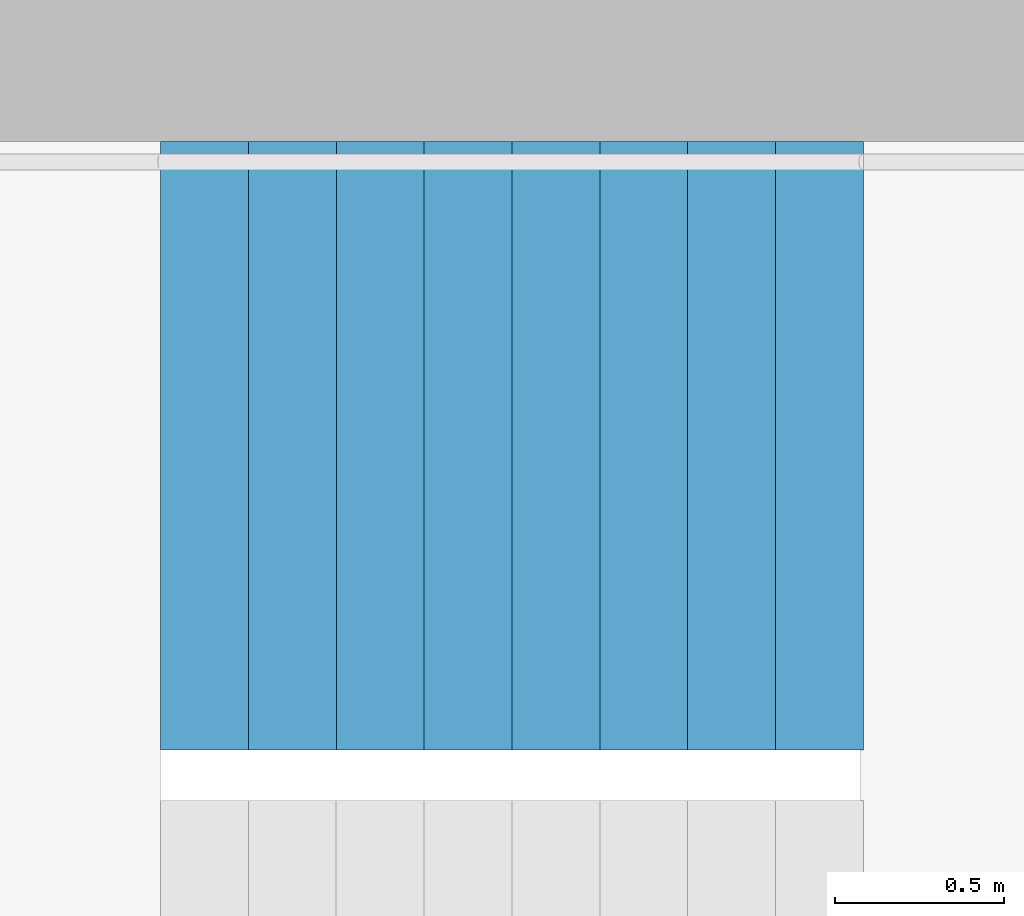
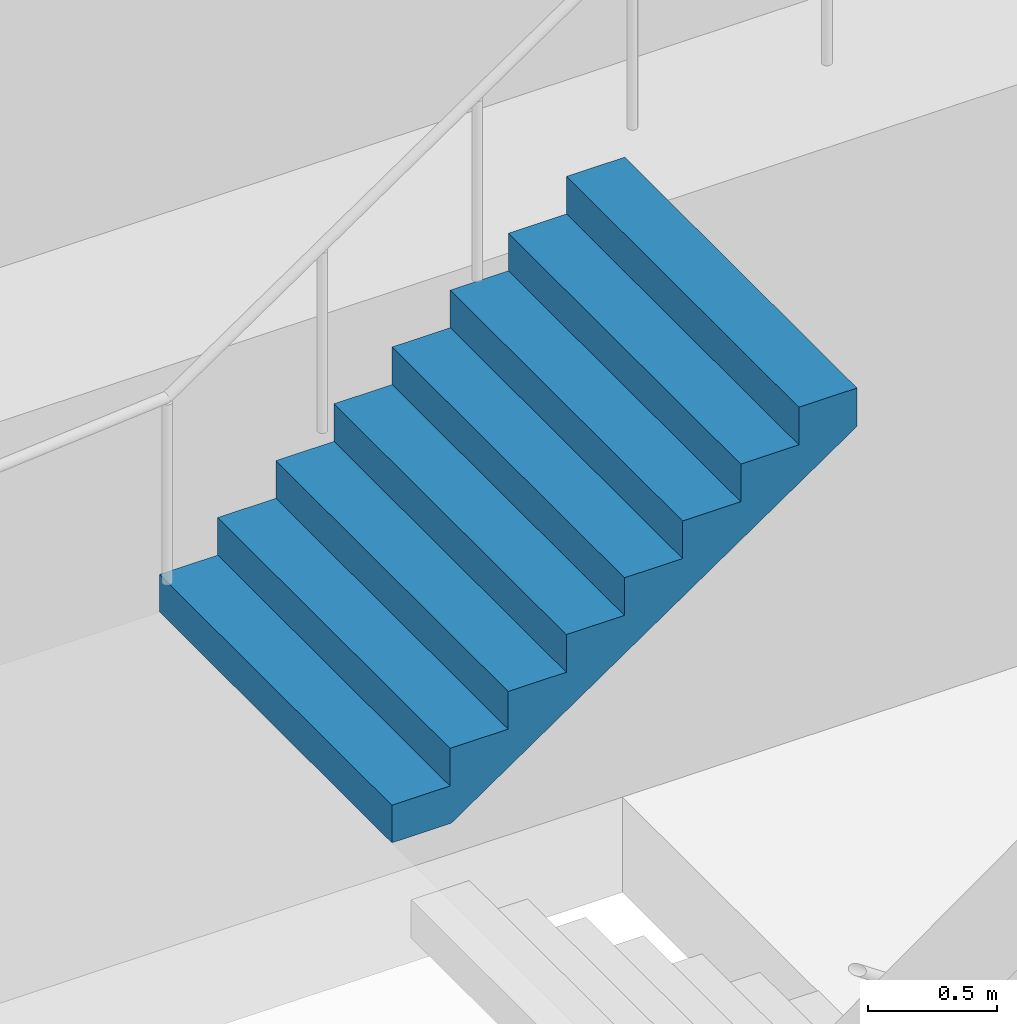
# One storey, part 25 of 26: 1 stair flight, 1 element without a shape of its own.
"""IFC4 building model written with IfcOpenShell, lengths in metres."""

from ifc_helpers import new_model, si_unit, direction, frame, origin, place, context, subcontext, project, spatial, triangles, material, type_object, element, aggregate, save


model = new_model("IFC4")

# Units and contexts
model_context = context("Model", 3, precision=1e-05, world=origin(), true_north=direction((0.0, 1.0)))
body_context = subcontext(model_context, "Body", "Model", "MODEL_VIEW")
ifc_project = project(units=[si_unit("LENGTHUNIT", "METRE"), si_unit("AREAUNIT", "SQUARE_METRE"), si_unit("VOLUMEUNIT", "CUBIC_METRE"), si_unit("PLANEANGLEUNIT", "RADIAN"), si_unit("MASSUNIT", "GRAM", prefix="KILO")], contexts=[model_context])

# Site, building, storey
site_placement = place(None, origin())
site = spatial("IfcSite", under=ifc_project, at=site_placement, CompositionType="ELEMENT")
building_placement = place(site_placement, origin())
building = spatial("IfcBuilding", under=site, at=building_placement, Name="Hakoniwa Tower and Hamabe Station Hall", CompositionType="ELEMENT")
storey_placement = place(building_placement, frame((0.0, 0.0, 156.60009765625)))
storey = spatial("IfcBuildingStorey", under=building, at=storey_placement, Name="L44", CompositionType="ELEMENT", Elevation=156.60009765625)

# Stair, stair flight
ifc_material_1 = material(Name="Concrete C40", Category="concrete")
stair_type = type_object("IfcStairType", Name="ESCAPE STAIR 1800", PredefinedType="HALF_TURN_STAIR", material=ifc_material_1)
stair_placement = place(storey_placement, origin())
stair = element("IfcStair", 1, at=stair_placement, inside=storey, type_object=stair_type, Name="Escape stair ST-3 L44", PredefinedType="HALF_TURN_STAIR")
ifc_material_2 = material(Name="Concrete C40", Category="concrete")
stair_flight_type = type_object("IfcStairFlightType", Name="STAIR FLIGHT 1800", PredefinedType="STRAIGHT", material=ifc_material_2)
stair_flight_placement = place(storey_placement, frame((22.320068359375, 6.60009765625, 1.599853515625), z_axis=(0.0, 0.0, 1.0), x_axis=(1.0, 0.0, 0.0)))
stair_flight = element("IfcStairFlight", 2, at=stair_flight_placement, type_object=stair_flight_type, Name="ST-3 flight 2", NumberOfRisers=9, NumberOfTreads=8, PredefinedType="STRAIGHT", RiserHeight=0.177777778, TreadLength=0.26, context=body_context, shape_type="Tessellation", body=[
    triangles([(0.0, 0.89990234375, 0.0), (0.260009765625, 0.89990234375, 0.0), (0.265625, 0.89990234375, 0.0), (0.52001953125, 0.89990234375, 0.174072265625), (0.780029296875, 0.89990234375, 0.351806640625), (1.0400390625, 0.89990234375, 0.529541015625), (1.300048828125, 0.89990234375, 0.707275390625), (1.56005859375, 0.89990234375, 0.885009765625), (1.820068359375, 0.89990234375, 1.062744140625), (2.080078125, 0.89990234375, 1.24072265625), (2.080078125, 0.89990234375, 1.422119140625), (1.820068359375, 0.89990234375, 1.422119140625), (1.820068359375, 0.89990234375, 1.244384765625), (1.56005859375, 0.89990234375, 1.244384765625), (1.56005859375, 0.89990234375, 1.066650390625), (1.300048828125, 0.89990234375, 1.066650390625), (1.300048828125, 0.89990234375, 0.888916015625), (1.0400390625, 0.89990234375, 0.888916015625), (1.0400390625, 0.89990234375, 0.711181640625), (0.780029296875, 0.89990234375, 0.711181640625), (0.780029296875, 0.89990234375, 0.533447265625), (0.52001953125, 0.89990234375, 0.533447265625), (0.52001953125, 0.89990234375, 0.35546875), (0.265625, 0.89990234375, 0.35546875), (0.260009765625, 0.89990234375, 0.35546875), (0.260009765625, 0.89990234375, 0.177734375), (0.0, 0.89990234375, 0.177734375), (0.0, 0.06005859375, 0.0), (0.260009765625, 0.06005859375, 0.0), (0.265625, 0.06005859375, 0.0), (0.52001953125, 0.06005859375, 0.174072265625), (0.780029296875, 0.06005859375, 0.351806640625), (1.0400390625, 0.06005859375, 0.529541015625), (1.300048828125, 0.06005859375, 0.707275390625), (1.56005859375, 0.06005859375, 0.885009765625), (1.820068359375, 0.06005859375, 1.062744140625), (2.080078125, 0.06005859375, 1.24072265625), (2.080078125, 0.06005859375, 1.422119140625), (1.820068359375, 0.06005859375, 1.422119140625), (1.820068359375, 0.06005859375, 1.244384765625), (1.56005859375, 0.06005859375, 1.244384765625), (1.56005859375, 0.06005859375, 1.066650390625), (1.300048828125, 0.06005859375, 1.066650390625), (1.300048828125, 0.06005859375, 0.888916015625), (1.0400390625, 0.06005859375, 0.888916015625), (1.0400390625, 0.06005859375, 0.711181640625), (0.780029296875, 0.06005859375, 0.711181640625), (0.780029296875, 0.06005859375, 0.533447265625), (0.52001953125, 0.06005859375, 0.533447265625), (0.52001953125, 0.06005859375, 0.35546875), (0.265625, 0.06005859375, 0.35546875), (0.260009765625, 0.06005859375, 0.35546875), (0.260009765625, 0.06005859375, 0.177734375), (0.0, 0.06005859375, 0.177734375), (0.0, 0.04296875, 0.0), (0.260009765625, 0.04296875, 0.0), (0.265625, 0.04296875, 0.0), (0.52001953125, 0.04296875, 0.174072265625), (0.780029296875, 0.04296875, 0.351806640625), (1.0400390625, 0.04296875, 0.529541015625), (1.300048828125, 0.04296875, 0.707275390625), (1.56005859375, 0.04296875, 0.885009765625), (1.820068359375, 0.04296875, 1.062744140625), (2.080078125, 0.04296875, 1.24072265625), (2.080078125, 0.04296875, 1.422119140625), (1.820068359375, 0.04296875, 1.422119140625), (1.820068359375, 0.04296875, 1.244384765625), (1.56005859375, 0.04296875, 1.244384765625), (1.56005859375, 0.04296875, 1.066650390625), (1.300048828125, 0.04296875, 1.066650390625), (1.300048828125, 0.04296875, 0.888916015625), (1.0400390625, 0.04296875, 0.888916015625), (1.0400390625, 0.04296875, 0.711181640625), (0.780029296875, 0.04296875, 0.711181640625), (0.780029296875, 0.04296875, 0.533447265625), (0.52001953125, 0.04296875, 0.533447265625), (0.52001953125, 0.04296875, 0.35546875), (0.265625, 0.04296875, 0.35546875), (0.260009765625, 0.04296875, 0.35546875), (0.260009765625, 0.04296875, 0.177734375), (0.0, 0.04296875, 0.177734375), (0.0, 0.025634765625, 0.0), (0.260009765625, 0.025634765625, 0.0), (0.265625, 0.025634765625, 0.0), (0.52001953125, 0.025634765625, 0.174072265625), (0.780029296875, 0.025634765625, 0.351806640625), (1.0400390625, 0.025634765625, 0.529541015625), (1.300048828125, 0.025634765625, 0.707275390625), (1.56005859375, 0.025634765625, 0.885009765625), (1.820068359375, 0.025634765625, 1.062744140625), (2.080078125, 0.025634765625, 1.24072265625), (2.080078125, 0.025634765625, 1.422119140625), (1.820068359375, 0.025634765625, 1.422119140625), (1.820068359375, 0.025634765625, 1.244384765625), (1.56005859375, 0.025634765625, 1.244384765625), (1.56005859375, 0.025634765625, 1.066650390625), (1.300048828125, 0.025634765625, 1.066650390625), (1.300048828125, 0.025634765625, 0.888916015625), (1.0400390625, 0.025634765625, 0.888916015625), (1.0400390625, 0.025634765625, 0.711181640625), (0.780029296875, 0.025634765625, 0.711181640625), (0.780029296875, 0.025634765625, 0.533447265625), (0.52001953125, 0.025634765625, 0.533447265625), (0.52001953125, 0.025634765625, 0.35546875), (0.265625, 0.025634765625, 0.35546875), (0.260009765625, 0.025634765625, 0.35546875), (0.260009765625, 0.025634765625, 0.177734375), (0.0, 0.025634765625, 0.177734375), (0.0, 0.008544921875, 0.0), (0.260009765625, 0.008544921875, 0.0), (0.265625, 0.008544921875, 0.0), (0.52001953125, 0.008544921875, 0.174072265625), (0.780029296875, 0.008544921875, 0.351806640625), (1.0400390625, 0.008544921875, 0.529541015625), (1.300048828125, 0.008544921875, 0.707275390625), (1.56005859375, 0.008544921875, 0.885009765625), (1.820068359375, 0.008544921875, 1.062744140625), (2.080078125, 0.008544921875, 1.24072265625), (2.080078125, 0.008544921875, 1.422119140625), (1.820068359375, 0.008544921875, 1.422119140625), (1.820068359375, 0.008544921875, 1.244384765625), (1.56005859375, 0.008544921875, 1.244384765625), (1.56005859375, 0.008544921875, 1.066650390625), (1.300048828125, 0.008544921875, 1.066650390625), (1.300048828125, 0.008544921875, 0.888916015625), (1.0400390625, 0.008544921875, 0.888916015625), (1.0400390625, 0.008544921875, 0.711181640625), (0.780029296875, 0.008544921875, 0.711181640625), (0.780029296875, 0.008544921875, 0.533447265625), (0.52001953125, 0.008544921875, 0.533447265625), (0.52001953125, 0.008544921875, 0.35546875), (0.265625, 0.008544921875, 0.35546875), (0.260009765625, 0.008544921875, 0.35546875), (0.260009765625, 0.008544921875, 0.177734375), (0.0, 0.008544921875, 0.177734375), (0.0, -0.008544921875, 0.0), (0.260009765625, -0.008544921875, 0.0), (0.265625, -0.008544921875, 0.0), (0.52001953125, -0.008544921875, 0.174072265625), (0.780029296875, -0.008544921875, 0.351806640625), (1.0400390625, -0.008544921875, 0.529541015625), (1.300048828125, -0.008544921875, 0.707275390625), (1.56005859375, -0.008544921875, 0.885009765625), (1.820068359375, -0.008544921875, 1.062744140625), (2.080078125, -0.008544921875, 1.24072265625), (2.080078125, -0.008544921875, 1.422119140625), (1.820068359375, -0.008544921875, 1.422119140625), (1.820068359375, -0.008544921875, 1.244384765625), (1.56005859375, -0.008544921875, 1.244384765625), (1.56005859375, -0.008544921875, 1.066650390625), (1.300048828125, -0.008544921875, 1.066650390625), (1.300048828125, -0.008544921875, 0.888916015625), (1.0400390625, -0.008544921875, 0.888916015625), (1.0400390625, -0.008544921875, 0.711181640625), (0.780029296875, -0.008544921875, 0.711181640625), (0.780029296875, -0.008544921875, 0.533447265625), (0.52001953125, -0.008544921875, 0.533447265625), (0.52001953125, -0.008544921875, 0.35546875), (0.265625, -0.008544921875, 0.35546875), (0.260009765625, -0.008544921875, 0.35546875), (0.260009765625, -0.008544921875, 0.177734375), (0.0, -0.008544921875, 0.177734375), (0.0, -0.025634765625, 0.0), (0.260009765625, -0.025634765625, 0.0), (0.265625, -0.025634765625, 0.0), (0.52001953125, -0.025634765625, 0.174072265625), (0.780029296875, -0.025634765625, 0.351806640625), (1.0400390625, -0.025634765625, 0.529541015625), (1.300048828125, -0.025634765625, 0.707275390625), (1.56005859375, -0.025634765625, 0.885009765625), (1.820068359375, -0.025634765625, 1.062744140625), (2.080078125, -0.025634765625, 1.24072265625), (2.080078125, -0.025634765625, 1.422119140625), (1.820068359375, -0.025634765625, 1.422119140625), (1.820068359375, -0.025634765625, 1.244384765625), (1.56005859375, -0.025634765625, 1.244384765625), (1.56005859375, -0.025634765625, 1.066650390625), (1.300048828125, -0.025634765625, 1.066650390625), (1.300048828125, -0.025634765625, 0.888916015625), (1.0400390625, -0.025634765625, 0.888916015625), (1.0400390625, -0.025634765625, 0.711181640625), (0.780029296875, -0.025634765625, 0.711181640625), (0.780029296875, -0.025634765625, 0.533447265625), (0.52001953125, -0.025634765625, 0.533447265625), (0.52001953125, -0.025634765625, 0.35546875), (0.265625, -0.025634765625, 0.35546875), (0.260009765625, -0.025634765625, 0.35546875), (0.260009765625, -0.025634765625, 0.177734375), (0.0, -0.025634765625, 0.177734375), (0.0, -0.04296875, 0.0), (0.260009765625, -0.04296875, 0.0), (0.265625, -0.04296875, 0.0), (0.52001953125, -0.04296875, 0.174072265625), (0.780029296875, -0.04296875, 0.351806640625), (1.0400390625, -0.04296875, 0.529541015625), (1.300048828125, -0.04296875, 0.707275390625), (1.56005859375, -0.04296875, 0.885009765625), (1.820068359375, -0.04296875, 1.062744140625), (2.080078125, -0.04296875, 1.24072265625), (2.080078125, -0.04296875, 1.422119140625), (1.820068359375, -0.04296875, 1.422119140625), (1.820068359375, -0.04296875, 1.244384765625), (1.56005859375, -0.04296875, 1.244384765625), (1.56005859375, -0.04296875, 1.066650390625), (1.300048828125, -0.04296875, 1.066650390625), (1.300048828125, -0.04296875, 0.888916015625), (1.0400390625, -0.04296875, 0.888916015625), (1.0400390625, -0.04296875, 0.711181640625), (0.780029296875, -0.04296875, 0.711181640625), (0.780029296875, -0.04296875, 0.533447265625), (0.52001953125, -0.04296875, 0.533447265625), (0.52001953125, -0.04296875, 0.35546875), (0.265625, -0.04296875, 0.35546875), (0.260009765625, -0.04296875, 0.35546875), (0.260009765625, -0.04296875, 0.177734375), (0.0, -0.04296875, 0.177734375), (0.0, -0.06005859375, 0.0), (0.260009765625, -0.06005859375, 0.0), (0.265625, -0.06005859375, 0.0), (0.52001953125, -0.06005859375, 0.174072265625), (0.780029296875, -0.06005859375, 0.351806640625), (1.0400390625, -0.06005859375, 0.529541015625), (1.300048828125, -0.06005859375, 0.707275390625), (1.56005859375, -0.06005859375, 0.885009765625), (1.820068359375, -0.06005859375, 1.062744140625), (2.080078125, -0.06005859375, 1.24072265625), (2.080078125, -0.06005859375, 1.422119140625), (1.820068359375, -0.06005859375, 1.422119140625), (1.820068359375, -0.06005859375, 1.244384765625), (1.56005859375, -0.06005859375, 1.244384765625), (1.56005859375, -0.06005859375, 1.066650390625), (1.300048828125, -0.06005859375, 1.066650390625), (1.300048828125, -0.06005859375, 0.888916015625), (1.0400390625, -0.06005859375, 0.888916015625), (1.0400390625, -0.06005859375, 0.711181640625), (0.780029296875, -0.06005859375, 0.711181640625), (0.780029296875, -0.06005859375, 0.533447265625), (0.52001953125, -0.06005859375, 0.533447265625), (0.52001953125, -0.06005859375, 0.35546875), (0.265625, -0.06005859375, 0.35546875), (0.260009765625, -0.06005859375, 0.35546875), (0.260009765625, -0.06005859375, 0.177734375), (0.0, -0.06005859375, 0.177734375), (0.0, -0.89990234375, 0.0), (0.260009765625, -0.89990234375, 0.0), (0.265625, -0.89990234375, 0.0), (0.52001953125, -0.89990234375, 0.174072265625), (0.780029296875, -0.89990234375, 0.351806640625), (1.0400390625, -0.89990234375, 0.529541015625), (1.300048828125, -0.89990234375, 0.707275390625), (1.56005859375, -0.89990234375, 0.885009765625), (1.820068359375, -0.89990234375, 1.062744140625), (2.080078125, -0.89990234375, 1.24072265625), (2.080078125, -0.89990234375, 1.422119140625), (1.820068359375, -0.89990234375, 1.422119140625), (1.820068359375, -0.89990234375, 1.244384765625), (1.56005859375, -0.89990234375, 1.244384765625), (1.56005859375, -0.89990234375, 1.066650390625), (1.300048828125, -0.89990234375, 1.066650390625), (1.300048828125, -0.89990234375, 0.888916015625), (1.0400390625, -0.89990234375, 0.888916015625), (1.0400390625, -0.89990234375, 0.711181640625), (0.780029296875, -0.89990234375, 0.711181640625), (0.780029296875, -0.89990234375, 0.533447265625), (0.52001953125, -0.89990234375, 0.533447265625), (0.52001953125, -0.89990234375, 0.35546875), (0.265625, -0.89990234375, 0.35546875), (0.260009765625, -0.89990234375, 0.35546875), (0.260009765625, -0.89990234375, 0.177734375), (0.0, -0.89990234375, 0.177734375)], [[2, 27, 26], [245, 269, 270], [2, 1, 27], [245, 270, 244], [3, 25, 24], [246, 267, 268], [3, 26, 25], [246, 268, 269], [3, 2, 26], [246, 269, 245], [4, 24, 23], [247, 266, 267], [4, 3, 24], [247, 267, 246], [5, 22, 21], [248, 264, 265], [5, 23, 22], [248, 265, 266], [5, 4, 23], [248, 266, 247], [6, 20, 19], [249, 262, 263], [6, 21, 20], [249, 263, 264], [6, 5, 21], [249, 264, 248], [7, 18, 17], [250, 260, 261], [7, 19, 18], [250, 261, 262], [7, 6, 19], [250, 262, 249], [8, 16, 15], [251, 258, 259], [8, 17, 16], [251, 259, 260], [8, 7, 17], [251, 260, 250], [9, 14, 13], [252, 256, 257], [9, 15, 14], [252, 257, 258], [9, 8, 15], [252, 258, 251], [10, 12, 11], [253, 254, 255], [10, 13, 12], [253, 255, 256], [10, 9, 13], [253, 256, 252], [1, 2, 29], [1, 29, 28], [28, 29, 56], [28, 56, 55], [55, 56, 83], [55, 83, 82], [82, 83, 110], [82, 110, 109], [109, 110, 137], [109, 137, 136], [136, 137, 164], [136, 164, 163], [163, 164, 191], [163, 191, 190], [190, 191, 218], [190, 218, 217], [217, 218, 245], [217, 245, 244], [2, 3, 30], [2, 30, 29], [29, 30, 57], [29, 57, 56], [56, 57, 84], [56, 84, 83], [83, 84, 111], [83, 111, 110], [110, 111, 138], [110, 138, 137], [137, 138, 165], [137, 165, 164], [164, 165, 192], [164, 192, 191], [191, 192, 219], [191, 219, 218], [218, 219, 246], [218, 246, 245], [3, 4, 31], [3, 31, 30], [30, 31, 58], [30, 58, 57], [57, 58, 85], [57, 85, 84], [84, 85, 112], [84, 112, 111], [111, 112, 139], [111, 139, 138], [138, 139, 166], [138, 166, 165], [165, 166, 193], [165, 193, 192], [192, 193, 220], [192, 220, 219], [219, 220, 247], [219, 247, 246], [4, 5, 32], [4, 32, 31], [31, 32, 59], [31, 59, 58], [58, 59, 86], [58, 86, 85], [85, 86, 113], [85, 113, 112], [112, 113, 140], [112, 140, 139], [139, 140, 167], [139, 167, 166], [166, 167, 194], [166, 194, 193], [193, 194, 221], [193, 221, 220], [220, 221, 248], [220, 248, 247], [5, 6, 33], [5, 33, 32], [32, 33, 60], [32, 60, 59], [59, 60, 87], [59, 87, 86], [86, 87, 114], [86, 114, 113], [113, 114, 141], [113, 141, 140], [140, 141, 168], [140, 168, 167], [167, 168, 195], [167, 195, 194], [194, 195, 222], [194, 222, 221], [221, 222, 249], [221, 249, 248], [6, 7, 34], [6, 34, 33], [33, 34, 61], [33, 61, 60], [60, 61, 88], [60, 88, 87], [87, 88, 115], [87, 115, 114], [114, 115, 142], [114, 142, 141], [141, 142, 169], [141, 169, 168], [168, 169, 196], [168, 196, 195], [195, 196, 223], [195, 223, 222], [222, 223, 250], [222, 250, 249], [7, 8, 35], [7, 35, 34], [34, 35, 62], [34, 62, 61], [61, 62, 89], [61, 89, 88], [88, 89, 116], [88, 116, 115], [115, 116, 143], [115, 143, 142], [142, 143, 170], [142, 170, 169], [169, 170, 197], [169, 197, 196], [196, 197, 224], [196, 224, 223], [223, 224, 251], [223, 251, 250], [8, 9, 36], [8, 36, 35], [35, 36, 63], [35, 63, 62], [62, 63, 90], [62, 90, 89], [89, 90, 117], [89, 117, 116], [116, 117, 144], [116, 144, 143], [143, 144, 171], [143, 171, 170], [170, 171, 198], [170, 198, 197], [197, 198, 225], [197, 225, 224], [224, 225, 252], [224, 252, 251], [9, 10, 37], [9, 37, 36], [36, 37, 64], [36, 64, 63], [63, 64, 91], [63, 91, 90], [90, 91, 118], [90, 118, 117], [117, 118, 145], [117, 145, 144], [144, 145, 172], [144, 172, 171], [171, 172, 199], [171, 199, 198], [198, 199, 226], [198, 226, 225], [225, 226, 253], [225, 253, 252], [10, 11, 38], [10, 38, 37], [37, 38, 65], [37, 65, 64], [64, 65, 92], [64, 92, 91], [91, 92, 119], [91, 119, 118], [118, 119, 146], [118, 146, 145], [145, 146, 173], [145, 173, 172], [172, 173, 200], [172, 200, 199], [199, 200, 227], [199, 227, 226], [226, 227, 254], [226, 254, 253], [11, 12, 39], [11, 39, 38], [38, 39, 66], [38, 66, 65], [65, 66, 93], [65, 93, 92], [92, 93, 120], [92, 120, 119], [119, 120, 147], [119, 147, 146], [146, 147, 174], [146, 174, 173], [173, 174, 201], [173, 201, 200], [200, 201, 228], [200, 228, 227], [227, 228, 255], [227, 255, 254], [12, 13, 40], [12, 40, 39], [39, 40, 67], [39, 67, 66], [66, 67, 94], [66, 94, 93], [93, 94, 121], [93, 121, 120], [120, 121, 148], [120, 148, 147], [147, 148, 175], [147, 175, 174], [174, 175, 202], [174, 202, 201], [201, 202, 229], [201, 229, 228], [228, 229, 256], [228, 256, 255], [13, 14, 41], [13, 41, 40], [40, 41, 68], [40, 68, 67], [67, 68, 95], [67, 95, 94], [94, 95, 122], [94, 122, 121], [121, 122, 149], [121, 149, 148], [148, 149, 176], [148, 176, 175], [175, 176, 203], [175, 203, 202], [202, 203, 230], [202, 230, 229], [229, 230, 257], [229, 257, 256], [14, 15, 42], [14, 42, 41], [41, 42, 69], [41, 69, 68], [68, 69, 96], [68, 96, 95], [95, 96, 123], [95, 123, 122], [122, 123, 150], [122, 150, 149], [149, 150, 177], [149, 177, 176], [176, 177, 204], [176, 204, 203], [203, 204, 231], [203, 231, 230], [230, 231, 258], [230, 258, 257], [15, 16, 43], [15, 43, 42], [42, 43, 70], [42, 70, 69], [69, 70, 97], [69, 97, 96], [96, 97, 124], [96, 124, 123], [123, 124, 151], [123, 151, 150], [150, 151, 178], [150, 178, 177], [177, 178, 205], [177, 205, 204], [204, 205, 232], [204, 232, 231], [231, 232, 259], [231, 259, 258], [16, 17, 44], [16, 44, 43], [43, 44, 71], [43, 71, 70], [70, 71, 98], [70, 98, 97], [97, 98, 125], [97, 125, 124], [124, 125, 152], [124, 152, 151], [151, 152, 179], [151, 179, 178], [178, 179, 206], [178, 206, 205], [205, 206, 233], [205, 233, 232], [232, 233, 260], [232, 260, 259], [17, 18, 45], [17, 45, 44], [44, 45, 72], [44, 72, 71], [71, 72, 99], [71, 99, 98], [98, 99, 126], [98, 126, 125], [125, 126, 153], [125, 153, 152], [152, 153, 180], [152, 180, 179], [179, 180, 207], [179, 207, 206], [206, 207, 234], [206, 234, 233], [233, 234, 261], [233, 261, 260], [18, 19, 46], [18, 46, 45], [45, 46, 73], [45, 73, 72], [72, 73, 100], [72, 100, 99], [99, 100, 127], [99, 127, 126], [126, 127, 154], [126, 154, 153], [153, 154, 181], [153, 181, 180], [180, 181, 208], [180, 208, 207], [207, 208, 235], [207, 235, 234], [234, 235, 262], [234, 262, 261], [19, 20, 47], [19, 47, 46], [46, 47, 74], [46, 74, 73], [73, 74, 101], [73, 101, 100], [100, 101, 128], [100, 128, 127], [127, 128, 155], [127, 155, 154], [154, 155, 182], [154, 182, 181], [181, 182, 209], [181, 209, 208], [208, 209, 236], [208, 236, 235], [235, 236, 263], [235, 263, 262], [20, 21, 48], [20, 48, 47], [47, 48, 75], [47, 75, 74], [74, 75, 102], [74, 102, 101], [101, 102, 129], [101, 129, 128], [128, 129, 156], [128, 156, 155], [155, 156, 183], [155, 183, 182], [182, 183, 210], [182, 210, 209], [209, 210, 237], [209, 237, 236], [236, 237, 264], [236, 264, 263], [21, 22, 49], [21, 49, 48], [48, 49, 76], [48, 76, 75], [75, 76, 103], [75, 103, 102], [102, 103, 130], [102, 130, 129], [129, 130, 157], [129, 157, 156], [156, 157, 184], [156, 184, 183], [183, 184, 211], [183, 211, 210], [210, 211, 238], [210, 238, 237], [237, 238, 265], [237, 265, 264], [22, 23, 50], [22, 50, 49], [49, 50, 77], [49, 77, 76], [76, 77, 104], [76, 104, 103], [103, 104, 131], [103, 131, 130], [130, 131, 158], [130, 158, 157], [157, 158, 185], [157, 185, 184], [184, 185, 212], [184, 212, 211], [211, 212, 239], [211, 239, 238], [238, 239, 266], [238, 266, 265], [23, 24, 51], [23, 51, 50], [50, 51, 78], [50, 78, 77], [77, 78, 105], [77, 105, 104], [104, 105, 132], [104, 132, 131], [131, 132, 159], [131, 159, 158], [158, 159, 186], [158, 186, 185], [185, 186, 213], [185, 213, 212], [212, 213, 240], [212, 240, 239], [239, 240, 267], [239, 267, 266], [24, 25, 52], [24, 52, 51], [51, 52, 79], [51, 79, 78], [78, 79, 106], [78, 106, 105], [105, 106, 133], [105, 133, 132], [132, 133, 160], [132, 160, 159], [159, 160, 187], [159, 187, 186], [186, 187, 214], [186, 214, 213], [213, 214, 241], [213, 241, 240], [240, 241, 268], [240, 268, 267], [25, 26, 53], [25, 53, 52], [52, 53, 80], [52, 80, 79], [79, 80, 107], [79, 107, 106], [106, 107, 134], [106, 134, 133], [133, 134, 161], [133, 161, 160], [160, 161, 188], [160, 188, 187], [187, 188, 215], [187, 215, 214], [214, 215, 242], [214, 242, 241], [241, 242, 269], [241, 269, 268], [26, 27, 54], [26, 54, 53], [53, 54, 81], [53, 81, 80], [80, 81, 108], [80, 108, 107], [107, 108, 135], [107, 135, 134], [134, 135, 162], [134, 162, 161], [161, 162, 189], [161, 189, 188], [188, 189, 216], [188, 216, 215], [215, 216, 243], [215, 243, 242], [242, 243, 270], [242, 270, 269], [27, 1, 28], [27, 28, 54], [54, 28, 55], [54, 55, 81], [81, 55, 82], [81, 82, 108], [108, 82, 109], [108, 109, 135], [135, 109, 136], [135, 136, 162], [162, 136, 163], [162, 163, 189], [189, 163, 190], [189, 190, 216], [216, 190, 217], [216, 217, 243], [243, 217, 244], [243, 244, 270]], closed=True),
])
aggregate(stair, [stair_flight])

save(model, "model.ifc")
